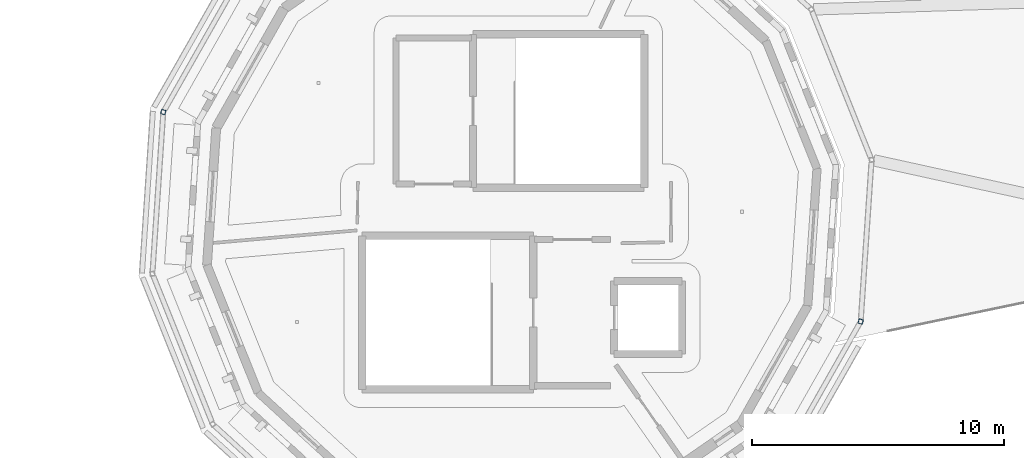
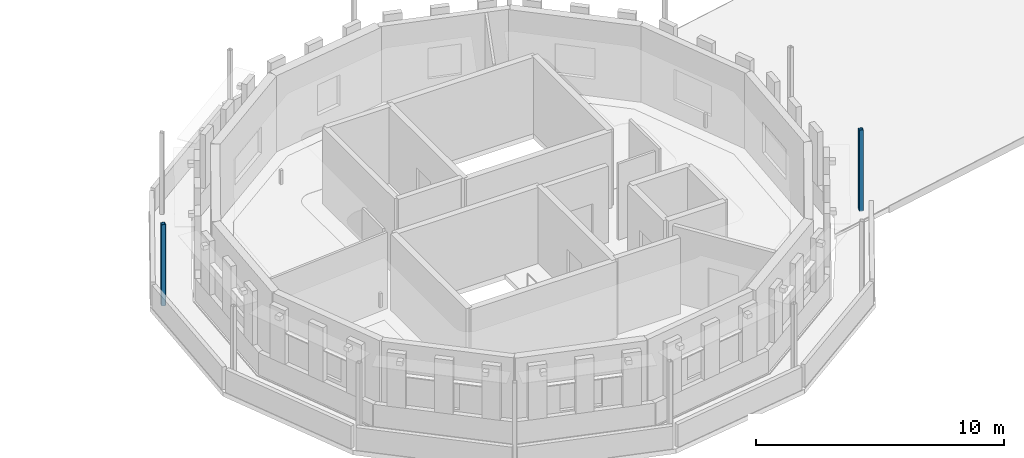
# One storey, part 4 of 51: 2 columns.
"""IFC4 building model written with IfcOpenShell, lengths in metres."""

from ifc_helpers import new_model, si_unit, direction, frame, origin, origin_2d, place, context, subcontext, project, spatial, hollow_rectangle, extrude, material, material_profile, profile_set, type_object, element, save


model = new_model("IFC4")

# Units and contexts
model_context = context("Model", 3, precision=1e-05, world=origin(), true_north=direction((0.0, 1.0)))
body_context = subcontext(model_context, "Body", "Model", "MODEL_VIEW")
ifc_project = project(units=[si_unit("LENGTHUNIT", "METRE"), si_unit("AREAUNIT", "SQUARE_METRE"), si_unit("VOLUMEUNIT", "CUBIC_METRE"), si_unit("PLANEANGLEUNIT", "RADIAN"), si_unit("MASSUNIT", "GRAM", prefix="KILO")], contexts=[model_context])

# Site, building, storey
site_placement = place(None, origin())
site = spatial("IfcSite", under=ifc_project, at=site_placement, CompositionType="ELEMENT")
building_placement = place(site_placement, origin())
building = spatial("IfcBuilding", under=site, at=building_placement, Name="Wrenclough Park School", CompositionType="ELEMENT")
storey_placement = place(building_placement, frame((0.0, 0.0, 16.800048828125)))
storey = spatial("IfcBuildingStorey", under=building, at=storey_placement, Name="L04", CompositionType="ELEMENT", Elevation=16.800048828125)

# Columns
ifc_material = material(Name="Structural steel S355", Category="steel")
ifc_material_profile = material_profile(ifc_material, hollow_rectangle(XDim=0.179931640625, YDim=0.179931640625, WallThickness=0.010009765625, InnerFilletRadius=0.010009765625, OuterFilletRadius=0.014892578125, at=origin_2d()), Name="SHS 180x180x10.0")
ifc_profile_set = profile_set([ifc_material_profile], Name="Structural steel S355")
column_type = type_object("IfcColumnType", Name="STR-COL-SHS180", PredefinedType="PILASTER", material=ifc_profile_set)
for number, where, z_axis, x_axis, name in (
    (1, (69.160400390625, 112.65576171875, 0.0), (0.0, 0.0, 1.0), (-0.287527687034, -0.957772326385, 0.0), "D4 L04 column D4-OUT-07"),
    (2, (96.839599609375, 104.34423828125, 0.0), (0.0, 0.0, 1.0), (0.287527687034, 0.957772326385, 0.0), "D4 L04 column D4-OUT-14"),
):
    element("IfcColumn", number, at=place(storey_placement, frame(where, z_axis=z_axis, x_axis=x_axis)), inside=storey, type_object=column_type, Name=name, PredefinedType="PILASTER", context=body_context, shape_type="SweptSolid", body=[
        extrude(hollow_rectangle(XDim=0.179931640625, YDim=0.179931640625, WallThickness=0.010009765625, InnerFilletRadius=0.010009765625, OuterFilletRadius=0.014892578125, at=origin_2d()), origin(), (0.0, 0.0, 1.0), 4.0),
    ])

save(model, "model.ifc")
